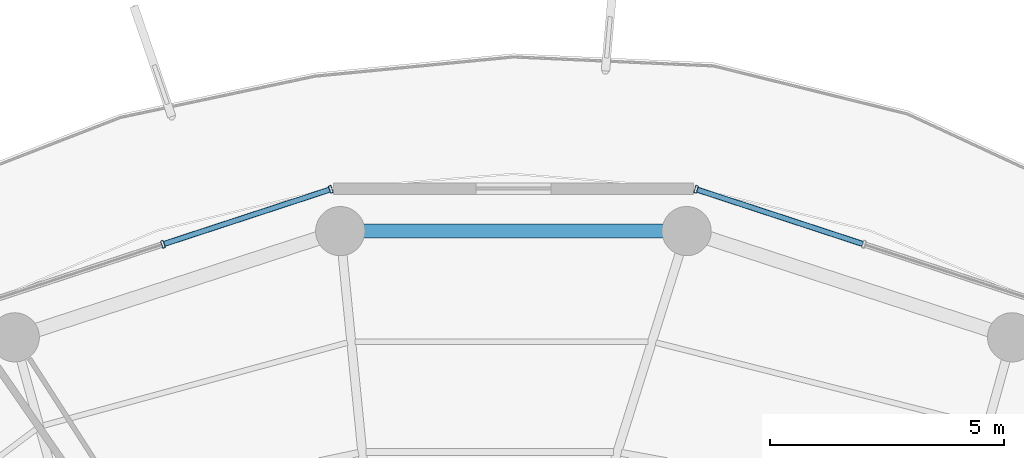
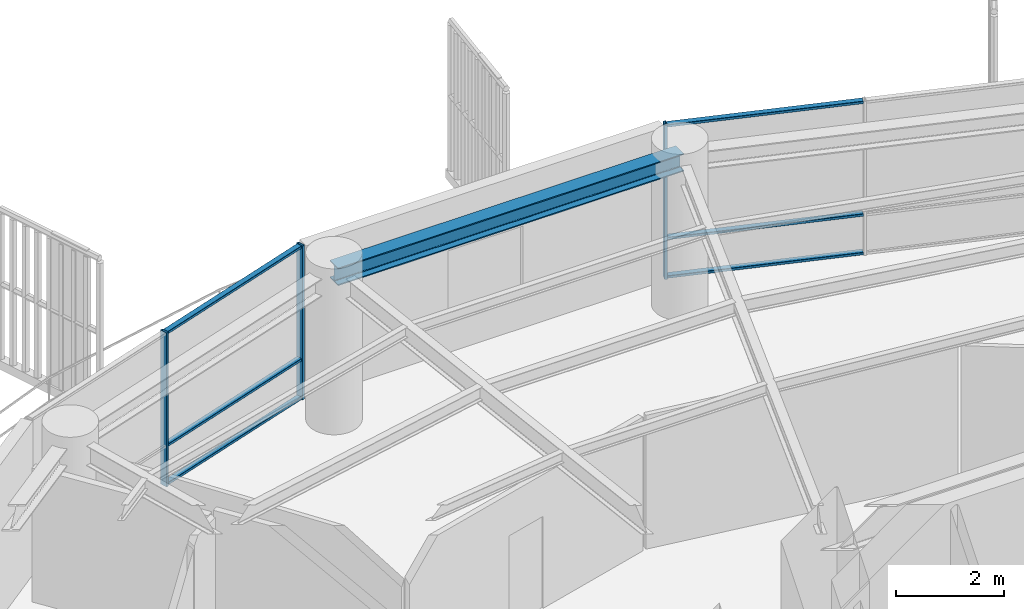
# One storey, part 20 of 31: 9 members, 1 beam, 2 elements without a shape of their own.
"""IFC4 building model written with IfcOpenShell, lengths in metres."""

from ifc_helpers import new_model, si_unit, direction, frame, origin, origin_2d, place, context, subcontext, project, spatial, hollow_rectangle, i_section, extrude, material, layer, layer_set, material_profile, profile_set, type_object, element, aggregate, save


model = new_model("IFC4")

# Units and contexts
model_context = context("Model", 3, precision=1e-05, world=origin(), true_north=direction((0.0, 1.0)))
body_context = subcontext(model_context, "Body", "Model", "MODEL_VIEW")
ifc_project = project(units=[si_unit("LENGTHUNIT", "METRE"), si_unit("AREAUNIT", "SQUARE_METRE"), si_unit("VOLUMEUNIT", "CUBIC_METRE"), si_unit("PLANEANGLEUNIT", "RADIAN"), si_unit("MASSUNIT", "GRAM", prefix="KILO")], contexts=[model_context])

# Site, building, storey
site_placement = place(None, origin())
site = spatial("IfcSite", under=ifc_project, at=site_placement, CompositionType="ELEMENT")
building_placement = place(site_placement, origin())
building = spatial("IfcBuilding", under=site, at=building_placement, Name="Kelanora Arch Commons", CompositionType="ELEMENT")
storey_placement = place(building_placement, frame((0.0, 0.0, 200.699951171875)))
storey = spatial("IfcBuildingStorey", under=building, at=storey_placement, Name="L51", CompositionType="ELEMENT", Elevation=200.699951171875)

# Beam
ifc_material_1 = material(Name="Steel S355", Category="steel")
ifc_material_profile_1 = material_profile(ifc_material_1, i_section(OverallWidth=0.300048828125, OverallDepth=0.39990234375, WebThickness=0.013427734375, FlangeThickness=0.02392578125, FilletRadius=0.027099609375, at=origin_2d()), Name="HEB400")
ifc_profile_set_1 = profile_set([ifc_material_profile_1], Name="Steel S355")
beam_type = type_object("IfcBeamType", Name="BM-SPN-Z4", PredefinedType="SPANDREL", material=ifc_profile_set_1)
beam_placement = place(storey_placement, frame((77.6953125, 76.7900390625, 3.2900390625), z_axis=(-1.0, 0.0, 0.0), x_axis=(0.0, -1.0, 0.0)))
element("IfcBeam", 1, at=beam_placement, inside=storey, type_object=beam_type, Name="Perimeter Spandrel Beam BS-08 L51", PredefinedType="SPANDREL", context=body_context, shape_type="SweptSolid", body=[
    extrude(i_section(OverallWidth=0.300048828125, OverallDepth=0.39990234375, WebThickness=0.013427734375, FlangeThickness=0.02392578125, FilletRadius=0.027099609375, at=origin_2d()), origin(), (0.0, 0.0, 1.0), 7.390625),
])

# Curtain wall, member
ifc_material_2 = material(Name="Terracotta ceramic-fritted low-E glass and aluminium", Category="masonry")
ifc_layer = layer(ifc_material_2, 0.175048828125)
ifc_layer_set = layer_set([ifc_layer], Name="Terracotta ceramic-fritted low-E glass and aluminium")
curtain_wall_type = type_object("IfcCurtainWallType", Name="CW-SYS-02", PredefinedType="NOTDEFINED", material=ifc_layer_set)
curtain_wall_1_placement = place(storey_placement, origin())
curtain_wall_1 = element("IfcCurtainWall", 2, at=curtain_wall_1_placement, inside=storey, type_object=curtain_wall_type, Name="Unitised Curtain Wall L51-B03", PredefinedType="NOTDEFINED")
ifc_material_3 = material(Name="Powder-coated aluminium terracotta", Category="masonry")
ifc_material_profile_2 = material_profile(ifc_material_3, hollow_rectangle(XDim=0.159912109375, YDim=0.06005859375, WallThickness=0.0048828125, InnerFilletRadius=0.0048828125, OuterFilletRadius=0.010009765625, at=origin_2d()), Name="CWM160x60")
ifc_profile_set_2 = profile_set([ifc_material_profile_2], Name="Powder-coated aluminium terracotta")
member_type_1 = type_object("IfcMemberType", Name="CWM-STD", PredefinedType="MULLION", material=ifc_profile_set_2)
member_1_placement = place(storey_placement, frame((77.897705078125, 77.68212890625, 0.0), z_axis=(0.0, 0.0, 1.0), x_axis=(-0.311582439059, -0.950219124029, 0.0)))
member_1 = element("IfcMember", 3, at=member_1_placement, type_object=member_type_1, Name="CW-02 mullion 3", PredefinedType="MULLION", context=body_context, shape_type="SweptSolid", body=[
    extrude(hollow_rectangle(XDim=0.159912109375, YDim=0.06005859375, WallThickness=0.0048828125, InnerFilletRadius=0.0048828125, OuterFilletRadius=0.010009765625, at=origin_2d()), origin(), (0.0, 0.0, 1.0), 3.47509765625),
])

# Curtain wall, members
curtain_wall_2_placement = place(storey_placement, origin())
curtain_wall_2 = element("IfcCurtainWall", 4, at=curtain_wall_2_placement, inside=storey, type_object=curtain_wall_type, Name="Unitised Curtain Wall L51-B05", PredefinedType="NOTDEFINED")
member_2_placement = place(storey_placement, frame((70.102294921875, 77.68212890625, 0.0), z_axis=(0.0, 0.0, 1.0), x_axis=(0.311582439059, -0.950219124029, 0.0)))
member_2 = element("IfcMember", 5, at=member_2_placement, type_object=member_type_1, Name="CW-02 mullion 1", PredefinedType="MULLION", context=body_context, shape_type="SweptSolid", body=[
    extrude(hollow_rectangle(XDim=0.159912109375, YDim=0.06005859375, WallThickness=0.0048828125, InnerFilletRadius=0.0048828125, OuterFilletRadius=0.010009765625, at=origin_2d()), origin(), (0.0, 0.0, 1.0), 3.47509765625),
])
member_3_placement = place(storey_placement, frame((66.5224609375, 76.50830078125, 0.0), z_axis=(0.0, 0.0, 1.0), x_axis=(0.311582439059, -0.950219124029, 0.0)))
member_3 = element("IfcMember", 6, at=member_3_placement, type_object=member_type_1, Name="CW-02 mullion 2", PredefinedType="MULLION", context=body_context, shape_type="SweptSolid", body=[
    extrude(hollow_rectangle(XDim=0.159912109375, YDim=0.06005859375, WallThickness=0.0048828125, InnerFilletRadius=0.0048828125, OuterFilletRadius=0.010009765625, at=origin_2d()), origin(), (0.0, 0.0, 1.0), 3.47509765625),
])

# Member
ifc_material_profile_3 = material_profile(ifc_material_3, hollow_rectangle(XDim=0.1201171875, YDim=0.06005859375, WallThickness=0.0048828125, InnerFilletRadius=0.0048828125, OuterFilletRadius=0.010009765625, at=origin_2d()), Name="CWT120x60")
ifc_profile_set_3 = profile_set([ifc_material_profile_3], Name="Powder-coated aluminium terracotta")
member_type_2 = type_object("IfcMemberType", Name="CWT-STD", PredefinedType="USERDEFINED", material=ifc_profile_set_3)
member_4_placement = place(storey_placement, frame((81.448974609375, 76.517578125, 0.030029296875), z_axis=(-0.950206527055, 0.311620852867, 0.0), x_axis=(-0.311620852867, -0.950206527055, 0.0)))
member_4 = element("IfcMember", 7, at=member_4_placement, type_object=member_type_2, Name="CW-02 transom 2.1", ObjectType="TRANSOM", PredefinedType="USERDEFINED", context=body_context, shape_type="SweptSolid", body=[
    extrude(hollow_rectangle(XDim=0.1201171875, YDim=0.06005859375, WallThickness=0.0048828125, InnerFilletRadius=0.0048828125, OuterFilletRadius=0.010009765625, at=origin_2d()), origin(), (0.0, 0.0, 1.0), 3.707275390625),
])

member_5_placement = place(storey_placement, frame((81.448974609375, 76.517578125, 0.900146484375), z_axis=(-0.950206527055, 0.311620852867, 0.0), x_axis=(-0.311620852867, -0.950206527055, 0.0)))
member_5 = element("IfcMember", 8, at=member_5_placement, type_object=member_type_2, Name="CW-02 transom 2.2", ObjectType="TRANSOM", PredefinedType="USERDEFINED", context=body_context, shape_type="SweptSolid", body=[
    extrude(hollow_rectangle(XDim=0.1201171875, YDim=0.06005859375, WallThickness=0.0048828125, InnerFilletRadius=0.0048828125, OuterFilletRadius=0.010009765625, at=origin_2d()), origin(), (0.0, 0.0, 1.0), 3.707275390625),
])

member_6_placement = place(storey_placement, frame((81.448974609375, 76.517578125, 3.445068359375), z_axis=(-0.950206527055, 0.311620852867, 0.0), x_axis=(-0.311620852867, -0.950206527055, 0.0)))
member_6 = element("IfcMember", 9, at=member_6_placement, type_object=member_type_2, Name="CW-02 transom 2.3", ObjectType="TRANSOM", PredefinedType="USERDEFINED", context=body_context, shape_type="SweptSolid", body=[
    extrude(hollow_rectangle(XDim=0.1201171875, YDim=0.06005859375, WallThickness=0.0048828125, InnerFilletRadius=0.0048828125, OuterFilletRadius=0.010009765625, at=origin_2d()), origin(), (0.0, 0.0, 1.0), 3.707275390625),
])

aggregate(curtain_wall_1, [member_1, member_4, member_5, member_6])

member_7_placement = place(storey_placement, frame((70.07373046875, 77.6728515625, 0.030029296875), z_axis=(-0.950206527055, -0.311620852867, 0.0), x_axis=(0.311620852867, -0.950206527055, 0.0)))
member_7 = element("IfcMember", 10, at=member_7_placement, type_object=member_type_2, Name="CW-02 transom 1.1", ObjectType="TRANSOM", PredefinedType="USERDEFINED", context=body_context, shape_type="SweptSolid", body=[
    extrude(hollow_rectangle(XDim=0.1201171875, YDim=0.06005859375, WallThickness=0.0048828125, InnerFilletRadius=0.0048828125, OuterFilletRadius=0.010009765625, at=origin_2d()), origin(), (0.0, 0.0, 1.0), 3.707275390625),
])

member_8_placement = place(storey_placement, frame((70.07373046875, 77.6728515625, 0.900146484375), z_axis=(-0.950206527055, -0.311620852867, 0.0), x_axis=(0.311620852867, -0.950206527055, 0.0)))
member_8 = element("IfcMember", 11, at=member_8_placement, type_object=member_type_2, Name="CW-02 transom 1.2", ObjectType="TRANSOM", PredefinedType="USERDEFINED", context=body_context, shape_type="SweptSolid", body=[
    extrude(hollow_rectangle(XDim=0.1201171875, YDim=0.06005859375, WallThickness=0.0048828125, InnerFilletRadius=0.0048828125, OuterFilletRadius=0.010009765625, at=origin_2d()), origin(), (0.0, 0.0, 1.0), 3.707275390625),
])

member_9_placement = place(storey_placement, frame((70.07373046875, 77.6728515625, 3.445068359375), z_axis=(-0.950206527055, -0.311620852867, 0.0), x_axis=(0.311620852867, -0.950206527055, 0.0)))
member_9 = element("IfcMember", 12, at=member_9_placement, type_object=member_type_2, Name="CW-02 transom 1.3", ObjectType="TRANSOM", PredefinedType="USERDEFINED", context=body_context, shape_type="SweptSolid", body=[
    extrude(hollow_rectangle(XDim=0.1201171875, YDim=0.06005859375, WallThickness=0.0048828125, InnerFilletRadius=0.0048828125, OuterFilletRadius=0.010009765625, at=origin_2d()), origin(), (0.0, 0.0, 1.0), 3.707275390625),
])

aggregate(curtain_wall_2, [member_2, member_3, member_7, member_8, member_9])

save(model, "model.ifc")
